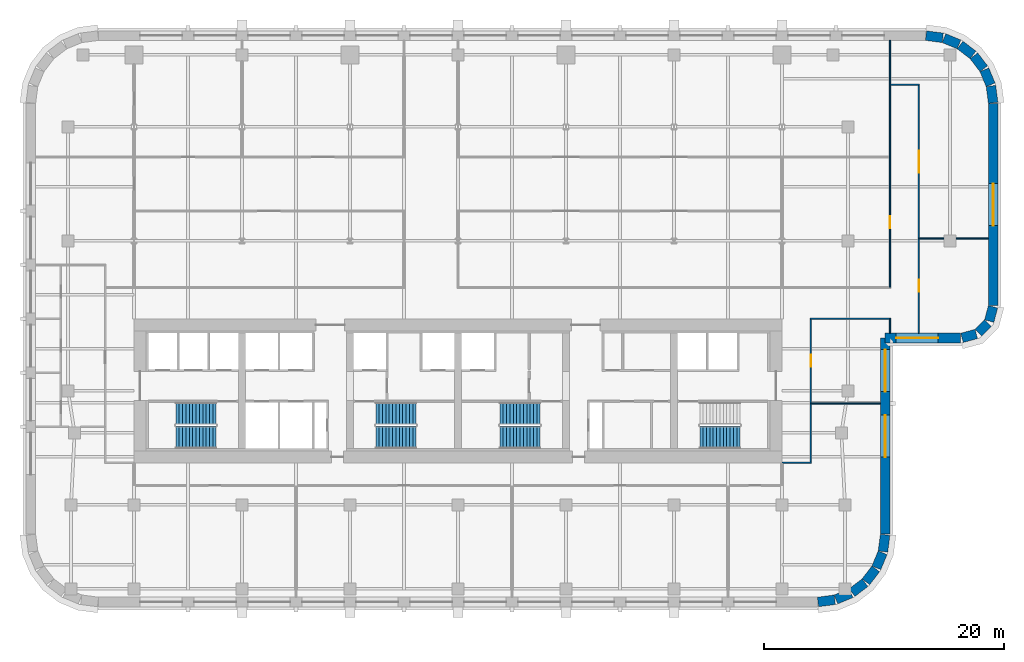
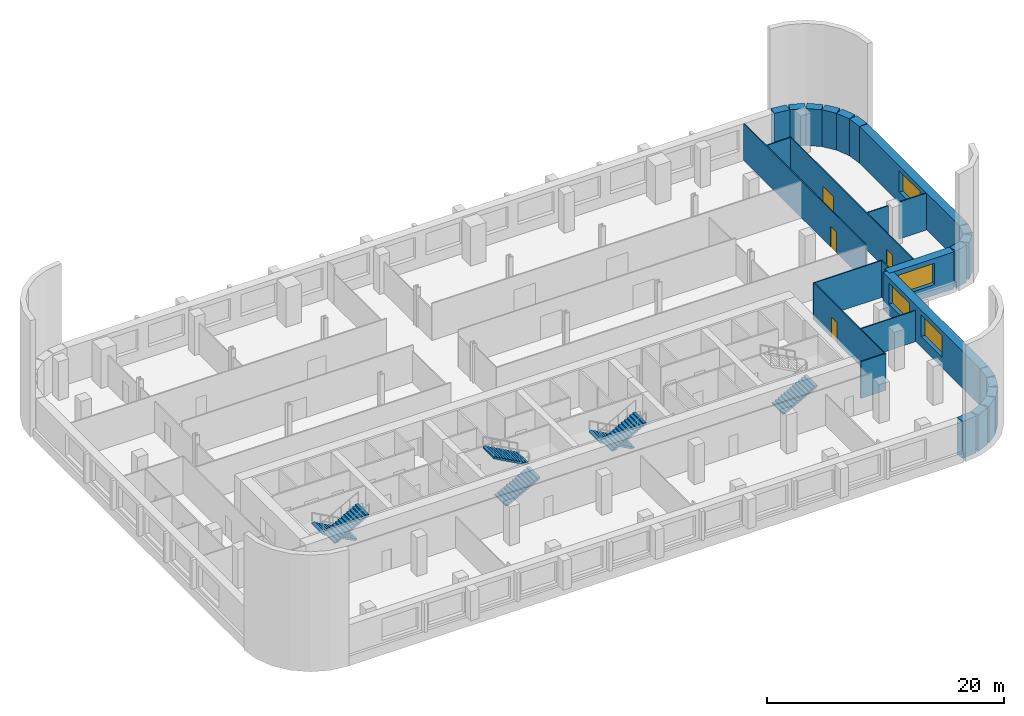
# One storey, part 7 of 10: 28 walls, 7 stair flights, 4 doors, 4 windows, 8 openings, 4 elements without a shape of their own.
"""IFC4 building model written with IfcOpenShell, lengths in metres."""

from ifc_helpers import new_model, si_unit, direction, frame, frame_2d, origin, place, context, subcontext, project, spatial, polyline, rectangle, outline, extrude, material, layer, layer_set, type_object, element, fill, aggregate, save


model = new_model("IFC4")

# Units and contexts
model_context = context("Model", 3, precision=1e-05, world=origin(), true_north=direction((0.0, 1.0)))
body_context = subcontext(model_context, "Body", "Model", "MODEL_VIEW")
ifc_project = project(units=[si_unit("LENGTHUNIT", "METRE"), si_unit("AREAUNIT", "SQUARE_METRE"), si_unit("VOLUMEUNIT", "CUBIC_METRE"), si_unit("PLANEANGLEUNIT", "RADIAN"), si_unit("MASSUNIT", "GRAM", prefix="KILO")], contexts=[model_context])

# Site, building, storey
site_placement = place(None, origin())
site = spatial("IfcSite", under=ifc_project, at=site_placement, CompositionType="ELEMENT")
building_placement = place(site_placement, origin())
building = spatial("IfcBuilding", under=site, at=building_placement, Name="Zellij Exchange Tower", CompositionType="ELEMENT")
storey_placement = place(building_placement, frame((0.0, 0.0, 120.5)))
storey = spatial("IfcBuildingStorey", under=building, at=storey_placement, Name="L26", CompositionType="ELEMENT", Elevation=120.5)

# Walls
ifc_material_1 = material(Name="Precast concrete C40/50", Category="concrete")
ifc_layer_1 = layer(ifc_material_1, 0.800048828125)
ifc_layer_set_1 = layer_set([ifc_layer_1], Name="Precast concrete C40/50")
wall_type_1 = type_object("IfcWallType", Name="ENV-EW1 Precast stone-piered wall 800", PredefinedType="SOLIDWALL", material=ifc_layer_set_1)
wall_1_placement = place(storey_placement, frame((29.999755859375, -25.5966796875, 0.0), z_axis=(0.0, 0.0, 1.0), x_axis=(0.99144603414, 0.130517283865, 0.0)))
element("IfcWall", 1, at=wall_1_placement, inside=storey, type_object=wall_type_1, Name="fac.L26.01", PredefinedType="SOLIDWALL", context=body_context, shape_type="SweptSolid", body=[
    extrude(rectangle(XDim=1.408447265625, YDim=0.800048828125, at=frame_2d((0.7041015625, 0.0))), origin(), (0.0, 0.0, 1.0), 3.800048828125),
])
wall_2_placement = place(storey_placement, frame((31.497314453125, -25.3857421875, 0.0), z_axis=(0.0, 0.0, 1.0), x_axis=(0.923847774587, 0.38276009378, 0.0)))
element("IfcWall", 2, at=wall_2_placement, inside=storey, type_object=wall_type_1, Name="fac.L26.02", PredefinedType="SOLIDWALL", context=body_context, shape_type="SweptSolid", body=[
    extrude(rectangle(XDim=1.35546875, YDim=0.800048828125, at=frame_2d((0.677734375, 0.0))), origin(), (0.0, 0.0, 1.0), 3.800048828125),
])
for number, where, z_axis, x_axis, name in (
    (3, (32.840087890625, -24.814697265625, 0.0), (0.0, 0.0, 1.0), (0.793272915452, 0.608866226366, 0.0), "fac.L26.03"),
    (4, (33.9892578125, -23.91552734375, 0.0), (0.0, 0.0, 1.0), (0.608866226366, 0.793272915452, 0.0), "fac.L26.04"),
):
    element("IfcWall", number, at=place(storey_placement, frame(where, z_axis=z_axis, x_axis=x_axis)), inside=storey, type_object=wall_type_1, Name=name, PredefinedType="SOLIDWALL", context=body_context, shape_type="SweptSolid", body=[
        extrude(rectangle(XDim=1.355712890625, YDim=0.800048828125, at=frame_2d((0.677734375, 0.0))), origin(), (0.0, 0.0, 1.0), 3.800048828125),
    ])
wall_3_placement = place(storey_placement, frame((34.866943359375, -22.74951171875, 0.0), z_axis=(0.0, 0.0, 1.0), x_axis=(0.38276009378, 0.923847774587, 0.0)))
element("IfcWall", 5, at=wall_3_placement, inside=storey, type_object=wall_type_1, Name="fac.L26.05", PredefinedType="SOLIDWALL", context=body_context, shape_type="SweptSolid", body=[
    extrude(rectangle(XDim=1.35546875, YDim=0.800048828125, at=frame_2d((0.677734375, 0.0))), origin(), (0.0, 0.0, 1.0), 3.800048828125),
])
wall_4_placement = place(storey_placement, frame((35.412841796875, -21.396240234375, 0.0), z_axis=(0.0, 0.0, 1.0), x_axis=(0.130517283865, 0.99144603414, 0.0)))
element("IfcWall", 6, at=wall_4_placement, inside=storey, type_object=wall_type_1, Name="fac.L26.06", PredefinedType="SOLIDWALL", context=body_context, shape_type="SweptSolid", body=[
    extrude(rectangle(XDim=1.408447265625, YDim=0.800048828125, at=frame_2d((0.7041015625, 0.0))), origin(), (0.0, 0.0, 1.0), 3.800048828125),
])

# Wall, openings, windows
wall_5_placement = place(storey_placement, frame((35.60009765625, -19.947509765625, 0.0), z_axis=(0.0, 0.0, 1.0), x_axis=(0.0, 1.0, 0.0)))
wall_5 = element("IfcWall", 7, at=wall_5_placement, inside=storey, type_object=wall_type_1, Name="fac.L26.07", PredefinedType="SOLIDWALL", context=body_context, shape_type="SweptSolid", body=[
    extrude(rectangle(XDim=16.347412109375, YDim=0.800048828125, at=frame_2d((8.173828125, 0.0))), origin(), (0.0, 0.0, 1.0), 3.800048828125),
])
opening_1_placement = place(wall_5_placement, frame((6.41064453125, 0.0, 1.10009765625)))
opening_1 = element("IfcOpeningElement", 8, at=opening_1_placement, cuts=wall_5, Name="Opening FZ2.13", PredefinedType="OPENING", context=body_context, shape_type="SweptSolid", body=[
    extrude(rectangle(XDim=3.5, YDim=2.199951171875, at=frame_2d((1.75, 1.10009765625))), frame((0.0, 0.412109375, 0.0), z_axis=(0.0, -1.0, 0.0), x_axis=(1.0, 0.0, 0.0)), (0.0, 0.0, 1.0), 0.823974609375),
])
opening_2_placement = place(wall_5_placement, frame((11.86865234375, 0.0, 1.10009765625)))
opening_2 = element("IfcOpeningElement", 9, at=opening_2_placement, cuts=wall_5, Name="Opening FZ2.14", PredefinedType="OPENING", context=body_context, shape_type="SweptSolid", body=[
    extrude(rectangle(XDim=3.5, YDim=2.199951171875, at=frame_2d((1.75, 1.10009765625))), frame((0.0, 0.412109375, 0.0), z_axis=(0.0, -1.0, 0.0), x_axis=(1.0, 0.0, 0.0)), (0.0, 0.0, 1.0), 0.823974609375),
])
ifc_material_2 = material(Name="Aluminium frame with insulating glass", Category="aluminium")
window_type = type_object("IfcWindowType", Name="ENV-W7 Window 3500x2200", PartitioningType="SINGLE_PANEL", PredefinedType="WINDOW", material=ifc_material_2)
window_1_placement = place(opening_1_placement, origin())
window_1 = element("IfcWindow", 10, at=window_1_placement, inside=storey, type_object=window_type, Name="Window FZ2.13", OverallHeight=2.199951171875, OverallWidth=3.5, PartitioningType="SINGLE_PANEL", PredefinedType="WINDOW", context=body_context, shape_type="SweptSolid", body=[
    extrude(rectangle(XDim=3.5, YDim=2.199951171875, at=frame_2d((1.75, 1.10009765625))), frame((0.0, 0.030029296875, 0.0), z_axis=(0.0, -1.0, 0.0), x_axis=(1.0, 0.0, 0.0)), (0.0, 0.0, 1.0), 0.06005859375),
])
fill(opening_1, window_1)
window_2_placement = place(opening_2_placement, origin())
window_2 = element("IfcWindow", 11, at=window_2_placement, inside=storey, type_object=window_type, Name="Window FZ2.14", OverallHeight=2.199951171875, OverallWidth=3.5, PartitioningType="SINGLE_PANEL", PredefinedType="WINDOW", context=body_context, shape_type="SweptSolid", body=[
    extrude(rectangle(XDim=3.5, YDim=2.199951171875, at=frame_2d((1.75, 1.10009765625))), frame((0.0, 0.030029296875, 0.0), z_axis=(0.0, -1.0, 0.0), x_axis=(1.0, 0.0, 0.0)), (0.0, 0.0, 1.0), 0.06005859375),
])
fill(opening_2, window_2)

# Wall, opening, window
wall_6_placement = place(storey_placement, frame((35.60009765625, -3.60009765625, 0.0), z_axis=(0.0, 0.0, 1.0), x_axis=(1.0, 0.0, 0.0)))
wall_6 = element("IfcWall", 12, at=wall_6_placement, inside=storey, type_object=wall_type_1, Name="fac.L26.08", PredefinedType="SOLIDWALL", context=body_context, shape_type="SweptSolid", body=[
    extrude(rectangle(XDim=6.29443359375, YDim=0.800048828125, at=frame_2d((3.147216796875, 0.0))), origin(), (0.0, 0.0, 1.0), 3.800048828125),
])
opening_3_placement = place(wall_6_placement, frame((0.89990234375, 0.0, 1.10009765625)))
opening_3 = element("IfcOpeningElement", 13, at=opening_3_placement, cuts=wall_6, Name="Opening FZ2.15", PredefinedType="OPENING", context=body_context, shape_type="SweptSolid", body=[
    extrude(rectangle(XDim=3.5, YDim=2.199951171875, at=frame_2d((1.75, 1.10009765625))), frame((0.0, 0.412109375, 0.0), z_axis=(0.0, -1.0, 0.0), x_axis=(1.0, 0.0, 0.0)), (0.0, 0.0, 1.0), 0.823974609375),
])
window_3_placement = place(opening_3_placement, origin())
window_3 = element("IfcWindow", 14, at=window_3_placement, inside=storey, type_object=window_type, Name="Window FZ2.15", OverallHeight=2.199951171875, OverallWidth=3.5, PartitioningType="SINGLE_PANEL", PredefinedType="WINDOW", context=body_context, shape_type="SweptSolid", body=[
    extrude(rectangle(XDim=3.5, YDim=2.199951171875, at=frame_2d((1.75, 1.10009765625))), frame((0.0, 0.030029296875, 0.0), z_axis=(0.0, -1.0, 0.0), x_axis=(1.0, 0.0, 0.0)), (0.0, 0.0, 1.0), 0.06005859375),
])
fill(opening_3, window_3)

# Walls
wall_7_placement = place(storey_placement, frame((41.998291015625, -3.58642578125, 0.0), z_axis=(0.0, 0.0, 1.0), x_axis=(0.965892366842, 0.258943885187, 0.0)))
element("IfcWall", 15, at=wall_7_placement, inside=storey, type_object=wall_type_1, Name="fac.L26.09", PredefinedType="SOLIDWALL", context=body_context, shape_type="SweptSolid", body=[
    extrude(rectangle(XDim=1.233154296875, YDim=0.800048828125, at=frame_2d((0.61669921875, 0.0))), origin(), (0.0, 0.0, 1.0), 3.800048828125),
])
wall_8_placement = place(storey_placement, frame((43.36865234375, -3.163818359375, 0.0), z_axis=(0.0, 0.0, 1.0), x_axis=(0.707106781187, 0.707106781187, 0.0)))
element("IfcWall", 16, at=wall_8_placement, inside=storey, type_object=wall_type_1, Name="fac.L26.10", PredefinedType="SOLIDWALL", context=body_context, shape_type="SweptSolid", body=[
    extrude(rectangle(XDim=1.12451171875, YDim=0.800048828125, at=frame_2d((0.562255859375, 0.0))), origin(), (0.0, 0.0, 1.0), 3.800048828125),
])
wall_9_placement = place(storey_placement, frame((44.26708984375, -2.189453125, 0.0), z_axis=(0.0, 0.0, 1.0), x_axis=(0.258943885187, 0.965892366842, 0.0)))
element("IfcWall", 17, at=wall_9_placement, inside=storey, type_object=wall_type_1, Name="fac.L26.11", PredefinedType="SOLIDWALL", context=body_context, shape_type="SweptSolid", body=[
    extrude(rectangle(XDim=1.233154296875, YDim=0.800048828125, at=frame_2d((0.61669921875, 0.0))), origin(), (0.0, 0.0, 1.0), 3.800048828125),
])

# Wall, opening, window
wall_10_placement = place(storey_placement, frame((44.60009765625, -0.89453125, 0.0), z_axis=(0.0, 0.0, 1.0), x_axis=(0.0, 1.0, 0.0)))
wall_10 = element("IfcWall", 18, at=wall_10_placement, inside=storey, type_object=wall_type_1, Name="fac.L26.12", PredefinedType="SOLIDWALL", context=body_context, shape_type="SweptSolid", body=[
    extrude(rectangle(XDim=16.842041015625, YDim=0.800048828125, at=frame_2d((8.4208984375, 0.0))), origin(), (0.0, 0.0, 1.0), 3.800048828125),
])
opening_4_placement = place(wall_10_placement, frame((6.657958984375, 0.0, 1.10009765625)))
opening_4 = element("IfcOpeningElement", 19, at=opening_4_placement, cuts=wall_10, Name="Opening FZ2.16", PredefinedType="OPENING", context=body_context, shape_type="SweptSolid", body=[
    extrude(rectangle(XDim=3.5, YDim=2.199951171875, at=frame_2d((1.75, 1.10009765625))), frame((0.0, 0.412109375, 0.0), z_axis=(0.0, -1.0, 0.0), x_axis=(1.0, 0.0, 0.0)), (0.0, 0.0, 1.0), 0.823974609375),
])
window_4_placement = place(opening_4_placement, origin())
window_4 = element("IfcWindow", 20, at=window_4_placement, inside=storey, type_object=window_type, Name="Window FZ2.16", OverallHeight=2.199951171875, OverallWidth=3.5, PartitioningType="SINGLE_PANEL", PredefinedType="WINDOW", context=body_context, shape_type="SweptSolid", body=[
    extrude(rectangle(XDim=3.5, YDim=2.199951171875, at=frame_2d((1.75, 1.10009765625))), frame((0.0, 0.030029296875, 0.0), z_axis=(0.0, -1.0, 0.0), x_axis=(1.0, 0.0, 0.0)), (0.0, 0.0, 1.0), 0.06005859375),
])
fill(opening_4, window_4)

# Walls
wall_11_placement = place(storey_placement, frame((44.5966796875, 15.999755859375, 0.0), z_axis=(0.0, 0.0, 1.0), x_axis=(-0.130517283865, 0.99144603414, 0.0)))
element("IfcWall", 21, at=wall_11_placement, inside=storey, type_object=wall_type_1, Name="fac.L26.13", PredefinedType="SOLIDWALL", context=body_context, shape_type="SweptSolid", body=[
    extrude(rectangle(XDim=1.408447265625, YDim=0.800048828125, at=frame_2d((0.7041015625, 0.0))), origin(), (0.0, 0.0, 1.0), 3.800048828125),
])
wall_12_placement = place(storey_placement, frame((44.3857421875, 17.497314453125, 0.0), z_axis=(0.0, 0.0, 1.0), x_axis=(-0.38276009378, 0.923847774587, 0.0)))
element("IfcWall", 22, at=wall_12_placement, inside=storey, type_object=wall_type_1, Name="fac.L26.14", PredefinedType="SOLIDWALL", context=body_context, shape_type="SweptSolid", body=[
    extrude(rectangle(XDim=1.35546875, YDim=0.800048828125, at=frame_2d((0.677734375, 0.0))), origin(), (0.0, 0.0, 1.0), 3.800048828125),
])
for number, where, z_axis, x_axis, name in (
    (23, (43.814697265625, 18.840087890625, 0.0), (0.0, 0.0, 1.0), (-0.608866226366, 0.793272915452, 0.0), "fac.L26.15"),
    (24, (42.91552734375, 19.9892578125, 0.0), (0.0, 0.0, 1.0), (-0.793272915452, 0.608866226366, 0.0), "fac.L26.16"),
):
    element("IfcWall", number, at=place(storey_placement, frame(where, z_axis=z_axis, x_axis=x_axis)), inside=storey, type_object=wall_type_1, Name=name, PredefinedType="SOLIDWALL", context=body_context, shape_type="SweptSolid", body=[
        extrude(rectangle(XDim=1.355712890625, YDim=0.800048828125, at=frame_2d((0.677734375, 0.0))), origin(), (0.0, 0.0, 1.0), 3.800048828125),
    ])
wall_13_placement = place(storey_placement, frame((41.74951171875, 20.866943359375, 0.0), z_axis=(0.0, 0.0, 1.0), x_axis=(-0.923847774587, 0.38276009378, 0.0)))
element("IfcWall", 25, at=wall_13_placement, inside=storey, type_object=wall_type_1, Name="fac.L26.17", PredefinedType="SOLIDWALL", context=body_context, shape_type="SweptSolid", body=[
    extrude(rectangle(XDim=1.35546875, YDim=0.800048828125, at=frame_2d((0.677734375, 0.0))), origin(), (0.0, 0.0, 1.0), 3.800048828125),
])
wall_14_placement = place(storey_placement, frame((40.396240234375, 21.412841796875, 0.0), z_axis=(0.0, 0.0, 1.0), x_axis=(-0.99144603414, 0.130517283865, 0.0)))
element("IfcWall", 26, at=wall_14_placement, inside=storey, type_object=wall_type_1, Name="fac.L26.18", PredefinedType="SOLIDWALL", context=body_context, shape_type="SweptSolid", body=[
    extrude(rectangle(XDim=1.408447265625, YDim=0.800048828125, at=frame_2d((0.7041015625, 0.0))), origin(), (0.0, 0.0, 1.0), 3.800048828125),
])
ifc_material_3 = material(Name="Gypsum board partition on steel studs", Category="steel")
ifc_layer_2 = layer(ifc_material_3, 0.10009765625)
ifc_layer_set_2 = layer_set([ifc_layer_2], Name="Gypsum board partition on steel studs")
wall_type_2 = type_object("IfcWallType", Name="FIT-PARTITION-100", PredefinedType="PARTITIONING", material=ifc_layer_set_2)
wall_15_placement = place(storey_placement, frame((27.0, -14.0, 0.0), z_axis=(0.0, 0.0, 1.0), x_axis=(1.0, 0.0, 0.0)))
element("IfcWall", 27, at=wall_15_placement, inside=storey, type_object=wall_type_2, Name="FIT-PARTITION-100 012", PredefinedType="PARTITIONING", context=body_context, shape_type="SweptSolid", body=[
    extrude(rectangle(XDim=2.449951171875, YDim=0.10009765625, at=frame_2d((1.22509765625, 0.0))), origin(), (0.0, 0.0, 1.0), 3.800048828125),
])

# Wall, opening, door
wall_16_placement = place(storey_placement, frame((29.39990234375, -13.949951171875, 0.0), z_axis=(0.0, 0.0, 1.0), x_axis=(0.0, 1.0, 0.0)))
wall_16 = element("IfcWall", 28, at=wall_16_placement, inside=storey, type_object=wall_type_2, Name="FIT-PARTITION-100 013", PredefinedType="PARTITIONING", context=body_context, shape_type="SweptSolid", body=[
    extrude(rectangle(XDim=11.89990234375, YDim=0.10009765625, at=frame_2d((5.949951171875, 0.0))), origin(), (0.0, 0.0, 1.0), 3.800048828125),
])
opening_5_placement = place(wall_16_placement, frame((7.93994140625, 0.0, 0.0)))
opening_5 = element("IfcOpeningElement", 29, at=opening_5_placement, cuts=wall_16, Name="Opening TF.06", PredefinedType="OPENING", context=body_context, shape_type="SweptSolid", body=[
    extrude(rectangle(XDim=1.0, YDim=2.10009765625, at=frame_2d((0.5, 1.050048828125))), frame((0.0, 0.06201171875, 0.0), z_axis=(0.0, -1.0, 0.0), x_axis=(1.0, 0.0, 0.0)), (0.0, 0.0, 1.0), 0.1240234375),
])
ifc_material_4 = material(Name="Timber door set", Category="wood")
door_type_1 = type_object("IfcDoorType", Name="FIT-D2-WIDE-1000X2100", OperationType="SINGLE_SWING_LEFT", PredefinedType="DOOR", material=ifc_material_4)
door_1_placement = place(opening_5_placement, origin())
door_1 = element("IfcDoor", 30, at=door_1_placement, inside=storey, type_object=door_type_1, Name="Door TF.06", OperationType="SINGLE_SWING_RIGHT", OverallHeight=2.10009765625, OverallWidth=1.0, PredefinedType="DOOR", context=body_context, shape_type="SweptSolid", body=[
    extrude(rectangle(XDim=1.0, YDim=2.10009765625, at=frame_2d((0.5, 1.050048828125))), frame((0.0, 0.02490234375, 0.0), z_axis=(0.0, -1.0, 0.0), x_axis=(1.0, 0.0, 0.0)), (0.0, 0.0, 1.0), 0.050048828125),
])
fill(opening_5, door_1)

# Walls
wall_17_placement = place(storey_placement, frame((29.449951171875, -9.06005859375, 0.0), z_axis=(0.0, 0.0, 1.0), x_axis=(1.0, 0.0, 0.0)))
element("IfcWall", 31, at=wall_17_placement, inside=storey, type_object=wall_type_2, Name="FIT-PARTITION-100 017", PredefinedType="PARTITIONING", context=body_context, shape_type="SweptSolid", body=[
    extrude(rectangle(XDim=5.75, YDim=0.10009765625, at=frame_2d((2.875, 0.0))), origin(), (0.0, 0.0, 1.0), 3.197998046875),
])
wall_18_placement = place(storey_placement, frame((36.0, -3.199951171875, 0.0), z_axis=(0.0, 0.0, 1.0), x_axis=(0.0, 1.0, 0.0)))
element("IfcWall", 32, at=wall_18_placement, inside=storey, type_object=wall_type_2, Name="FIT-PARTITION-100 019", PredefinedType="PARTITIONING", context=body_context, shape_type="SweptSolid", body=[
    extrude(rectangle(XDim=1.14990234375, YDim=0.10009765625, at=frame_2d((0.574951171875, 0.0))), origin(), (0.0, 0.0, 1.0), 3.800048828125),
])

# Wall, openings, doors
wall_19_placement = place(storey_placement, frame((38.39990234375, -3.199951171875, 0.0), z_axis=(0.0, 0.0, 1.0), x_axis=(0.0, 1.0, 0.0)))
wall_19 = element("IfcWall", 33, at=wall_19_placement, inside=storey, type_object=wall_type_2, Name="FIT-PARTITION-100 020", PredefinedType="PARTITIONING", context=body_context, shape_type="SweptSolid", body=[
    extrude(rectangle(XDim=20.64990234375, YDim=0.10009765625, at=frame_2d((10.324951171875, 0.0))), origin(), (0.0, 0.0, 1.0), 3.800048828125),
])
opening_6_placement = place(wall_19_placement, frame((3.449951171875, 0.0, 0.0)))
opening_6 = element("IfcOpeningElement", 34, at=opening_6_placement, cuts=wall_19, Name="Opening TF.10", PredefinedType="OPENING", context=body_context, shape_type="SweptSolid", body=[
    extrude(rectangle(XDim=1.0, YDim=2.10009765625, at=frame_2d((0.5, 1.050048828125))), frame((0.0, 0.06201171875, 0.0), z_axis=(0.0, -1.0, 0.0), x_axis=(1.0, 0.0, 0.0)), (0.0, 0.0, 1.0), 0.1240234375),
])
opening_7_placement = place(wall_19_placement, frame((13.389892578125, 0.0, 0.0)))
opening_7 = element("IfcOpeningElement", 35, at=opening_7_placement, cuts=wall_19, Name="Opening TF.16", PredefinedType="OPENING", context=body_context, shape_type="SweptSolid", body=[
    extrude(rectangle(XDim=1.800048828125, YDim=2.10009765625, at=frame_2d((0.89990234375, 1.050048828125))), frame((0.0, 0.06201171875, 0.0), z_axis=(0.0, -1.0, 0.0), x_axis=(1.0, 0.0, 0.0)), (0.0, 0.0, 1.0), 0.1240234375),
])
door_2_placement = place(opening_6_placement, origin())
door_2 = element("IfcDoor", 36, at=door_2_placement, inside=storey, type_object=door_type_1, Name="Door TF.10", OperationType="SINGLE_SWING_RIGHT", OverallHeight=2.10009765625, OverallWidth=1.0, PredefinedType="DOOR", context=body_context, shape_type="SweptSolid", body=[
    extrude(rectangle(XDim=1.0, YDim=2.10009765625, at=frame_2d((0.5, 1.050048828125))), frame((0.0, 0.02490234375, 0.0), z_axis=(0.0, -1.0, 0.0), x_axis=(1.0, 0.0, 0.0)), (0.0, 0.0, 1.0), 0.050048828125),
])
fill(opening_6, door_2)
door_type_2 = type_object("IfcDoorType", Name="FIT-D3-DOUBLE-1800X2100", OperationType="DOUBLE_DOOR_SINGLE_SWING", PredefinedType="DOOR", material=ifc_material_4)
door_3_placement = place(opening_7_placement, origin())
door_3 = element("IfcDoor", 37, at=door_3_placement, inside=storey, type_object=door_type_2, Name="Door TF.16", OperationType="DOUBLE_DOOR_SINGLE_SWING", OverallHeight=2.10009765625, OverallWidth=1.800048828125, PredefinedType="DOOR", context=body_context, shape_type="SweptSolid", body=[
    extrude(rectangle(XDim=1.800048828125, YDim=2.10009765625, at=frame_2d((0.89990234375, 1.050048828125))), frame((0.0, 0.02490234375, 0.0), z_axis=(0.0, -1.0, 0.0), x_axis=(1.0, 0.0, 0.0)), (0.0, 0.0, 1.0), 0.050048828125),
])
fill(opening_7, door_3)

# Wall
wall_20_placement = place(storey_placement, frame((29.35009765625, -2.0, 0.0), z_axis=(0.0, 0.0, 1.0), x_axis=(1.0, 0.0, 0.0)))
element("IfcWall", 38, at=wall_20_placement, inside=storey, type_object=wall_type_2, Name="FIT-PARTITION-100 022", PredefinedType="PARTITIONING", context=body_context, shape_type="SweptSolid", body=[
    extrude(rectangle(XDim=6.699951171875, YDim=0.10009765625, at=frame_2d((3.35009765625, 0.0))), origin(), (0.0, 0.0, 1.0), 3.800048828125),
])

# Wall, opening, door
wall_21_placement = place(storey_placement, frame((36.0, 0.64990234375, 0.0), z_axis=(0.0, 0.0, 1.0), x_axis=(0.0, 1.0, 0.0)))
wall_21 = element("IfcWall", 39, at=wall_21_placement, inside=storey, type_object=wall_type_2, Name="FIT-PARTITION-100 032", PredefinedType="PARTITIONING", context=body_context, shape_type="SweptSolid", body=[
    extrude(rectangle(XDim=20.550048828125, YDim=0.10009765625, at=frame_2d((10.27490234375, 0.0))), origin(), (0.0, 0.0, 1.0), 3.800048828125),
])
opening_8_placement = place(wall_21_placement, frame((4.89990234375, 0.0, 0.0)))
opening_8 = element("IfcOpeningElement", 40, at=opening_8_placement, cuts=wall_21, Name="Opening TF.11", PredefinedType="OPENING", context=body_context, shape_type="SweptSolid", body=[
    extrude(rectangle(XDim=1.0, YDim=2.10009765625, at=frame_2d((0.5, 1.050048828125))), frame((0.0, 0.06201171875, 0.0), z_axis=(0.0, -1.0, 0.0), x_axis=(1.0, 0.0, 0.0)), (0.0, 0.0, 1.0), 0.1240234375),
])
door_4_placement = place(opening_8_placement, origin())
door_4 = element("IfcDoor", 41, at=door_4_placement, inside=storey, type_object=door_type_1, Name="Door TF.11", OperationType="SINGLE_SWING_LEFT", OverallHeight=2.10009765625, OverallWidth=1.0, PredefinedType="DOOR", context=body_context, shape_type="SweptSolid", body=[
    extrude(rectangle(XDim=1.0, YDim=2.10009765625, at=frame_2d((0.5, 1.050048828125))), frame((0.0, 0.02490234375, 0.0), z_axis=(0.0, -1.0, 0.0), x_axis=(1.0, 0.0, 0.0)), (0.0, 0.0, 1.0), 0.050048828125),
])
fill(opening_8, door_4)

# Walls
wall_22_placement = place(storey_placement, frame((38.449951171875, 4.68994140625, 0.0), z_axis=(0.0, 0.0, 1.0), x_axis=(1.0, 0.0, 0.0)))
element("IfcWall", 42, at=wall_22_placement, inside=storey, type_object=wall_type_2, Name="FIT-PARTITION-100 034", PredefinedType="PARTITIONING", context=body_context, shape_type="SweptSolid", body=[
    extrude(rectangle(XDim=2.050048828125, YDim=0.10009765625, at=frame_2d((1.02490234375, 0.0))), origin(), (0.0, 0.0, 1.0), 3.800048828125),
])
wall_23_placement = place(storey_placement, frame((41.5, 4.68994140625, 0.0), z_axis=(0.0, 0.0, 1.0), x_axis=(1.0, 0.0, 0.0)))
element("IfcWall", 43, at=wall_23_placement, inside=storey, type_object=wall_type_2, Name="FIT-PARTITION-100 035", PredefinedType="PARTITIONING", context=body_context, shape_type="SweptSolid", body=[
    extrude(rectangle(XDim=2.699951171875, YDim=0.10009765625, at=frame_2d((1.35009765625, 0.0))), origin(), (0.0, 0.0, 1.0), 3.800048828125),
])
wall_24_placement = place(storey_placement, frame((36.050048828125, 17.5, 0.0), z_axis=(0.0, 0.0, 1.0), x_axis=(1.0, 0.0, 0.0)))
element("IfcWall", 44, at=wall_24_placement, inside=storey, type_object=wall_type_2, Name="FIT-PARTITION-100 050", PredefinedType="PARTITIONING", context=body_context, shape_type="SweptSolid", body=[
    extrude(rectangle(XDim=2.39990234375, YDim=0.10009765625, at=frame_2d((1.199951171875, 0.0))), origin(), (0.0, 0.0, 1.0), 3.800048828125),
])

# Stair, stair flights
ifc_material_5 = material(Name="Concrete C40/50", Category="concrete")
stair_type = type_object("IfcStairType", Name="CORE-ST exit stair 1850 wide", PredefinedType="HALF_TURN_STAIR", material=ifc_material_5)
stair_1_placement = place(storey_placement, origin())
stair_1 = element("IfcStair", 45, at=stair_1_placement, inside=storey, type_object=stair_type, Name="L26 exit stair ST1", PredefinedType="HALF_TURN_STAIR")
stair_flight_type = type_object("IfcStairFlightType", Name="CORE-SF flight 1850 riser 153.8 going 280", PredefinedType="STRAIGHT", material=ifc_material_5)
stair_flight_1_placement = place(storey_placement, frame((-20.14990234375, -9.875, 0.0), z_axis=(0.0, 0.0, 1.0), x_axis=(-1.0, 0.0, 0.0)))
stair_flight_1 = element("IfcStairFlight", 46, at=stair_flight_1_placement, type_object=stair_flight_type, Name="ST1 flight 1", NumberOfRisers=13, NumberOfTreads=12, PredefinedType="STRAIGHT", RiserHeight=0.153846154, TreadLength=0.28, context=body_context, shape_type="SweptSolid", body=[
    extrude(outline(polyline([(0.0, 0.0), (0.0, 0.15380859375), (0.280029296875, 0.15380859375), (0.280029296875, 0.3076171875), (0.56005859375, 0.3076171875), (0.56005859375, 0.46142578125), (0.840087890625, 0.46142578125), (0.840087890625, 0.615478515625), (1.1201171875, 0.615478515625), (1.1201171875, 0.769287109375), (1.39990234375, 0.769287109375), (1.39990234375, 0.923095703125), (1.679931640625, 0.923095703125), (1.679931640625, 1.076904296875), (1.9599609375, 1.076904296875), (1.9599609375, 1.230712890625), (2.239990234375, 1.230712890625), (2.239990234375, 1.384521484375), (2.52001953125, 1.384521484375), (2.52001953125, 1.53857421875), (2.800048828125, 1.53857421875), (2.800048828125, 1.6923828125), (3.080078125, 1.6923828125), (3.080078125, 1.84619140625), (3.360107421875, 1.84619140625), (3.360107421875, 2.0), (3.360107421875, 1.675048828125), (0.311279296875, 0.0), (0.0, 0.0)])), frame((0.0, 0.925048828125, 0.0), z_axis=(0.0, -1.0, 0.0), x_axis=(1.0, 0.0, 0.0)), (0.0, 0.0, 1.0), 1.85009765625),
])
stair_flight_2_placement = place(storey_placement, frame((-23.510009765625, -11.875, 2.0), z_axis=(0.0, 0.0, 1.0), x_axis=(1.0, 0.0, 0.0)))
stair_flight_2 = element("IfcStairFlight", 47, at=stair_flight_2_placement, type_object=stair_flight_type, Name="ST1 flight 2", NumberOfRisers=13, NumberOfTreads=12, PredefinedType="STRAIGHT", RiserHeight=0.153846154, TreadLength=0.28, context=body_context, shape_type="SweptSolid", body=[
    extrude(outline(polyline([(0.0, 0.0), (0.0, 0.15380859375), (0.280029296875, 0.15380859375), (0.280029296875, 0.3076171875), (0.56005859375, 0.3076171875), (0.56005859375, 0.46142578125), (0.840087890625, 0.46142578125), (0.840087890625, 0.615478515625), (1.1201171875, 0.615478515625), (1.1201171875, 0.769287109375), (1.39990234375, 0.769287109375), (1.39990234375, 0.923095703125), (1.679931640625, 0.923095703125), (1.679931640625, 1.076904296875), (1.9599609375, 1.076904296875), (1.9599609375, 1.230712890625), (2.239990234375, 1.230712890625), (2.239990234375, 1.384521484375), (2.52001953125, 1.384521484375), (2.52001953125, 1.53857421875), (2.800048828125, 1.53857421875), (2.800048828125, 1.6923828125), (3.080078125, 1.6923828125), (3.080078125, 1.84619140625), (3.360107421875, 1.84619140625), (3.360107421875, 2.0), (3.360107421875, 1.675048828125), (0.311279296875, 0.0), (0.0, 0.0)])), frame((0.0, 0.925048828125, 0.0), z_axis=(0.0, -1.0, 0.0), x_axis=(1.0, 0.0, 0.0)), (0.0, 0.0, 1.0), 1.85009765625),
])
aggregate(stair_1, [stair_flight_1, stair_flight_2])

stair_2_placement = place(storey_placement, origin())
stair_2 = element("IfcStair", 48, at=stair_2_placement, inside=storey, type_object=stair_type, Name="L26 exit stair ST2", PredefinedType="HALF_TURN_STAIR")
stair_flight_3_placement = place(storey_placement, frame((-6.85009765625, -11.875, 0.0), z_axis=(0.0, 0.0, 1.0), x_axis=(1.0, 0.0, 0.0)))
stair_flight_3 = element("IfcStairFlight", 49, at=stair_flight_3_placement, type_object=stair_flight_type, Name="ST2 flight 1", NumberOfRisers=13, NumberOfTreads=12, PredefinedType="STRAIGHT", RiserHeight=0.153846154, TreadLength=0.28, context=body_context, shape_type="SweptSolid", body=[
    extrude(outline(polyline([(0.0, 0.0), (0.0, 0.15380859375), (0.280029296875, 0.15380859375), (0.280029296875, 0.3076171875), (0.56005859375, 0.3076171875), (0.56005859375, 0.46142578125), (0.840087890625, 0.46142578125), (0.840087890625, 0.615478515625), (1.1201171875, 0.615478515625), (1.1201171875, 0.769287109375), (1.39990234375, 0.769287109375), (1.39990234375, 0.923095703125), (1.679931640625, 0.923095703125), (1.679931640625, 1.076904296875), (1.9599609375, 1.076904296875), (1.9599609375, 1.230712890625), (2.239990234375, 1.230712890625), (2.239990234375, 1.384521484375), (2.52001953125, 1.384521484375), (2.52001953125, 1.53857421875), (2.800048828125, 1.53857421875), (2.800048828125, 1.6923828125), (3.080078125, 1.6923828125), (3.080078125, 1.84619140625), (3.360107421875, 1.84619140625), (3.360107421875, 2.0), (3.360107421875, 1.675048828125), (0.311279296875, 0.0), (0.0, 0.0)])), frame((0.0, 0.925048828125, 0.0), z_axis=(0.0, -1.0, 0.0), x_axis=(1.0, 0.0, 0.0)), (0.0, 0.0, 1.0), 1.85009765625),
])
stair_flight_4_placement = place(storey_placement, frame((-3.489990234375, -9.875, 2.0), z_axis=(0.0, 0.0, 1.0), x_axis=(-1.0, 0.0, 0.0)))
stair_flight_4 = element("IfcStairFlight", 50, at=stair_flight_4_placement, type_object=stair_flight_type, Name="ST2 flight 2", NumberOfRisers=13, NumberOfTreads=12, PredefinedType="STRAIGHT", RiserHeight=0.153846154, TreadLength=0.28, context=body_context, shape_type="SweptSolid", body=[
    extrude(outline(polyline([(0.0, 0.0), (0.0, 0.15380859375), (0.280029296875, 0.15380859375), (0.280029296875, 0.3076171875), (0.56005859375, 0.3076171875), (0.56005859375, 0.46142578125), (0.840087890625, 0.46142578125), (0.840087890625, 0.615478515625), (1.1201171875, 0.615478515625), (1.1201171875, 0.769287109375), (1.39990234375, 0.769287109375), (1.39990234375, 0.923095703125), (1.679931640625, 0.923095703125), (1.679931640625, 1.076904296875), (1.9599609375, 1.076904296875), (1.9599609375, 1.230712890625), (2.239990234375, 1.230712890625), (2.239990234375, 1.384521484375), (2.52001953125, 1.384521484375), (2.52001953125, 1.53857421875), (2.800048828125, 1.53857421875), (2.800048828125, 1.6923828125), (3.080078125, 1.6923828125), (3.080078125, 1.84619140625), (3.360107421875, 1.84619140625), (3.360107421875, 2.0), (3.360107421875, 1.675048828125), (0.311279296875, 0.0), (0.0, 0.0)])), frame((0.0, 0.925048828125, 0.0), z_axis=(0.0, -1.0, 0.0), x_axis=(1.0, 0.0, 0.0)), (0.0, 0.0, 1.0), 1.85009765625),
])
aggregate(stair_2, [stair_flight_3, stair_flight_4])

stair_3_placement = place(storey_placement, origin())
stair_3 = element("IfcStair", 51, at=stair_3_placement, inside=storey, type_object=stair_type, Name="L26 exit stair ST3", PredefinedType="HALF_TURN_STAIR")
stair_flight_5_placement = place(storey_placement, frame((6.85009765625, -9.875, 0.0), z_axis=(0.0, 0.0, 1.0), x_axis=(-1.0, 0.0, 0.0)))
stair_flight_5 = element("IfcStairFlight", 52, at=stair_flight_5_placement, type_object=stair_flight_type, Name="ST3 flight 1", NumberOfRisers=13, NumberOfTreads=12, PredefinedType="STRAIGHT", RiserHeight=0.153846154, TreadLength=0.28, context=body_context, shape_type="SweptSolid", body=[
    extrude(outline(polyline([(0.0, 0.0), (0.0, 0.15380859375), (0.280029296875, 0.15380859375), (0.280029296875, 0.3076171875), (0.56005859375, 0.3076171875), (0.56005859375, 0.46142578125), (0.840087890625, 0.46142578125), (0.840087890625, 0.615478515625), (1.1201171875, 0.615478515625), (1.1201171875, 0.769287109375), (1.39990234375, 0.769287109375), (1.39990234375, 0.923095703125), (1.679931640625, 0.923095703125), (1.679931640625, 1.076904296875), (1.9599609375, 1.076904296875), (1.9599609375, 1.230712890625), (2.239990234375, 1.230712890625), (2.239990234375, 1.384521484375), (2.52001953125, 1.384521484375), (2.52001953125, 1.53857421875), (2.800048828125, 1.53857421875), (2.800048828125, 1.6923828125), (3.080078125, 1.6923828125), (3.080078125, 1.84619140625), (3.360107421875, 1.84619140625), (3.360107421875, 2.0), (3.360107421875, 1.675048828125), (0.311279296875, 0.0), (0.0, 0.0)])), frame((0.0, 0.925048828125, 0.0), z_axis=(0.0, -1.0, 0.0), x_axis=(1.0, 0.0, 0.0)), (0.0, 0.0, 1.0), 1.85009765625),
])
stair_flight_6_placement = place(storey_placement, frame((3.489990234375, -11.875, 2.0), z_axis=(0.0, 0.0, 1.0), x_axis=(1.0, 0.0, 0.0)))
stair_flight_6 = element("IfcStairFlight", 53, at=stair_flight_6_placement, type_object=stair_flight_type, Name="ST3 flight 2", NumberOfRisers=13, NumberOfTreads=12, PredefinedType="STRAIGHT", RiserHeight=0.153846154, TreadLength=0.28, context=body_context, shape_type="SweptSolid", body=[
    extrude(outline(polyline([(0.0, 0.0), (0.0, 0.15380859375), (0.280029296875, 0.15380859375), (0.280029296875, 0.3076171875), (0.56005859375, 0.3076171875), (0.56005859375, 0.46142578125), (0.840087890625, 0.46142578125), (0.840087890625, 0.615478515625), (1.1201171875, 0.615478515625), (1.1201171875, 0.769287109375), (1.39990234375, 0.769287109375), (1.39990234375, 0.923095703125), (1.679931640625, 0.923095703125), (1.679931640625, 1.076904296875), (1.9599609375, 1.076904296875), (1.9599609375, 1.230712890625), (2.239990234375, 1.230712890625), (2.239990234375, 1.384521484375), (2.52001953125, 1.384521484375), (2.52001953125, 1.53857421875), (2.800048828125, 1.53857421875), (2.800048828125, 1.6923828125), (3.080078125, 1.6923828125), (3.080078125, 1.84619140625), (3.360107421875, 1.84619140625), (3.360107421875, 2.0), (3.360107421875, 1.675048828125), (0.311279296875, 0.0), (0.0, 0.0)])), frame((0.0, 0.925048828125, 0.0), z_axis=(0.0, -1.0, 0.0), x_axis=(1.0, 0.0, 0.0)), (0.0, 0.0, 1.0), 1.85009765625),
])
aggregate(stair_3, [stair_flight_5, stair_flight_6])

# Stair, stair flight
stair_4_placement = place(storey_placement, origin())
stair_4 = element("IfcStair", 54, at=stair_4_placement, inside=storey, type_object=stair_type, Name="L26 exit stair ST4", PredefinedType="HALF_TURN_STAIR")
stair_flight_7_placement = place(storey_placement, frame((20.14990234375, -11.875, 0.0), z_axis=(0.0, 0.0, 1.0), x_axis=(1.0, 0.0, 0.0)))
stair_flight_7 = element("IfcStairFlight", 55, at=stair_flight_7_placement, type_object=stair_flight_type, Name="ST4 flight 1", NumberOfRisers=13, NumberOfTreads=12, PredefinedType="STRAIGHT", RiserHeight=0.153846154, TreadLength=0.28, context=body_context, shape_type="SweptSolid", body=[
    extrude(outline(polyline([(0.0, 0.0), (0.0, 0.15380859375), (0.280029296875, 0.15380859375), (0.280029296875, 0.3076171875), (0.56005859375, 0.3076171875), (0.56005859375, 0.46142578125), (0.840087890625, 0.46142578125), (0.840087890625, 0.615478515625), (1.1201171875, 0.615478515625), (1.1201171875, 0.769287109375), (1.39990234375, 0.769287109375), (1.39990234375, 0.923095703125), (1.679931640625, 0.923095703125), (1.679931640625, 1.076904296875), (1.9599609375, 1.076904296875), (1.9599609375, 1.230712890625), (2.239990234375, 1.230712890625), (2.239990234375, 1.384521484375), (2.52001953125, 1.384521484375), (2.52001953125, 1.53857421875), (2.800048828125, 1.53857421875), (2.800048828125, 1.6923828125), (3.080078125, 1.6923828125), (3.080078125, 1.84619140625), (3.360107421875, 1.84619140625), (3.360107421875, 2.0), (3.360107421875, 1.675048828125), (0.311279296875, 0.0), (0.0, 0.0)])), frame((0.0, 0.925048828125, 0.0), z_axis=(0.0, -1.0, 0.0), x_axis=(1.0, 0.0, 0.0)), (0.0, 0.0, 1.0), 1.85009765625),
])
aggregate(stair_4, [stair_flight_7])

save(model, "model.ifc")
